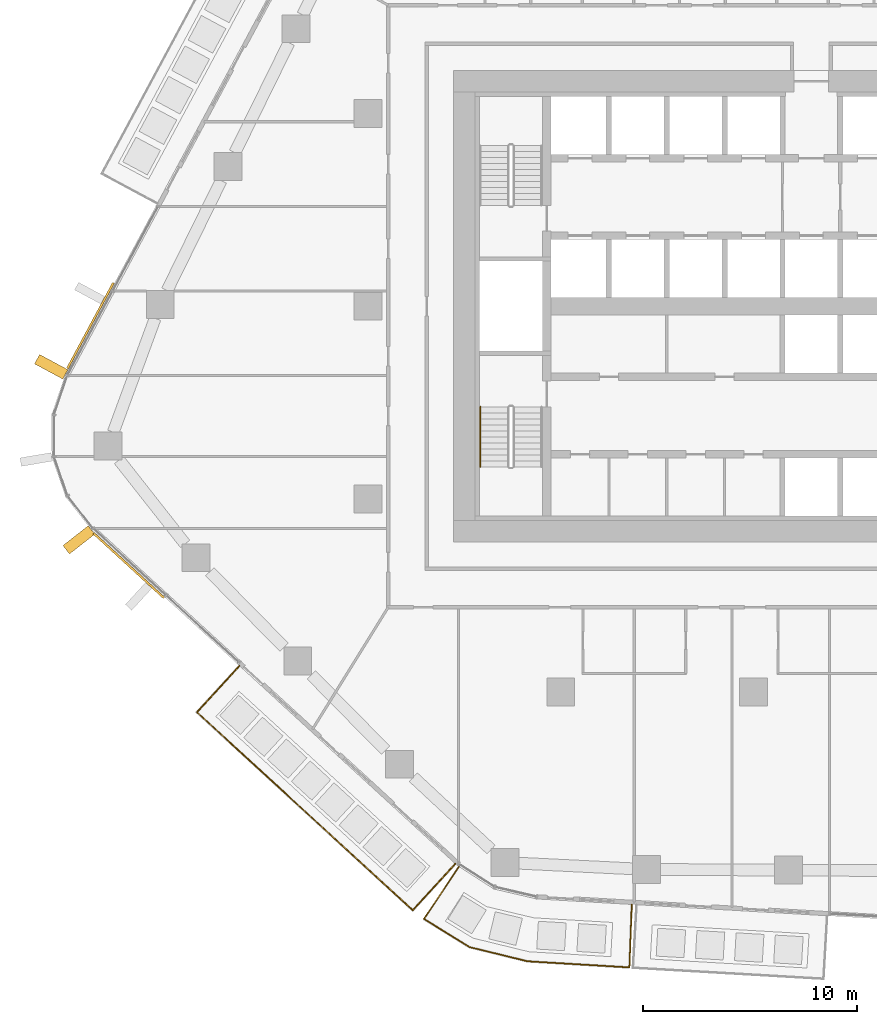
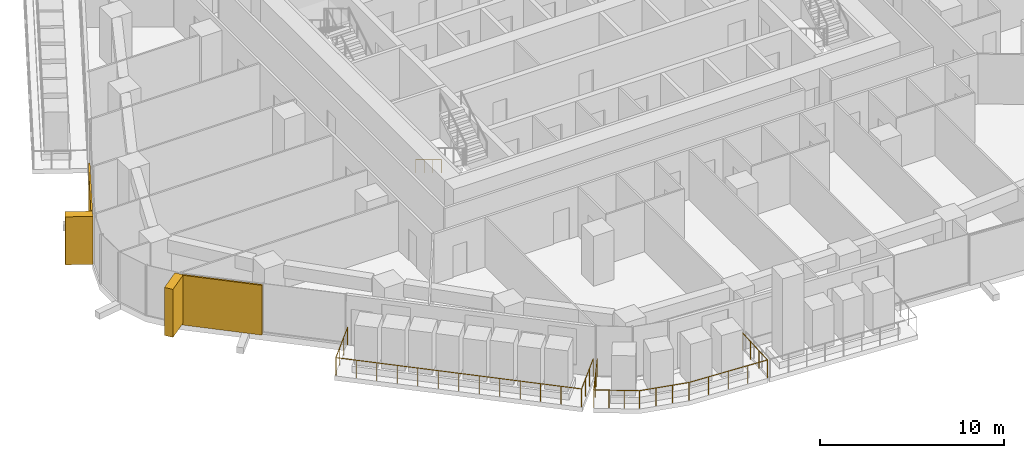
# One storey, part 19 of 24: 4 coverings, 3 railings, 3 elements without a shape of their own.
"""IFC4 building model written with IfcOpenShell, lengths in metres."""

from ifc_helpers import new_model, si_unit, direction, frame, origin, origin_2d, place, context, subcontext, project, spatial, rectangle, circle, extrude, material, layer, layer_set, material_profile, profile_set, type_object, element, aggregate, save


model = new_model("IFC4")

# Units and contexts
model_context = context("Model", 3, precision=1e-05, world=origin(), true_north=direction((0.0, 1.0)))
body_context = subcontext(model_context, "Body", "Model", "MODEL_VIEW")
ifc_project = project(units=[si_unit("LENGTHUNIT", "METRE"), si_unit("AREAUNIT", "SQUARE_METRE"), si_unit("VOLUMEUNIT", "CUBIC_METRE"), si_unit("PLANEANGLEUNIT", "RADIAN"), si_unit("MASSUNIT", "GRAM", prefix="KILO")], contexts=[model_context])

# Site, building, storey
site_placement = place(None, origin())
site = spatial("IfcSite", under=ifc_project, at=site_placement, CompositionType="ELEMENT")
building_placement = place(site_placement, origin())
building = spatial("IfcBuilding", under=site, at=building_placement, Name="Dongbaek Canopy Tower", CompositionType="ELEMENT")
storey_placement = place(building_placement, frame((0.0, 0.0, 124.800048828125)))
storey = spatial("IfcBuildingStorey", under=building, at=storey_placement, Name="L27", CompositionType="ELEMENT", Elevation=124.800048828125)

# Railings
ifc_material_1 = material(Name="Stainless steel", Category="steel")
railing_type_1 = type_object("IfcRailingType", Name="Balcony balustrade 1200", PredefinedType="BALUSTRADE", material=ifc_material_1)
railing_1_placement = place(storey_placement, frame((-23.9921875, -16.784423828125, 0.0)))
element("IfcRailing", 1, at=railing_1_placement, inside=storey, type_object=railing_type_1, Name="Balcony guard L27 3", PredefinedType="BALUSTRADE", context=body_context, shape_type="SweptSolid", body=[
    extrude(circle(Radius=0.02392578125, at=origin_2d()), frame((0.0, 0.0, 1.17578125), z_axis=(-0.675972780122, -0.736926591008, 0.0), x_axis=(0.736926591008, -0.675972780122, 0.0)), (0.0, 0.0, 1.0), 2.93994140625),
    extrude(circle(Radius=0.02392578125, at=origin_2d()), frame((-1.9873046875, -2.16650390625, 1.17578125), z_axis=(0.736921293012, -0.675978555803, 0.0), x_axis=(0.675978555803, 0.736921293012, 0.0)), (0.0, 0.0, 1.0), 13.668701171875),
    extrude(circle(Radius=0.02392578125, at=origin_2d()), frame((8.08544921875, -11.40625, 1.17578125), z_axis=(0.675931414187, 0.736964533282, 0.0), x_axis=(-0.736964533282, 0.675931414187, 0.0)), (0.0, 0.0, 1.0), 2.940185546875),
    extrude(circle(Radius=0.02099609375, at=origin_2d()), origin(), (0.0, 0.0, 1.0), 1.15185546875),
    extrude(circle(Radius=0.02099609375, at=origin_2d()), frame((-0.662353515625, -0.72216796875, 0.0)), (0.0, 0.0, 1.0), 1.15185546875),
    extrude(circle(Radius=0.02099609375, at=origin_2d()), frame((-1.324951171875, -1.4443359375, 0.0)), (0.0, 0.0, 1.0), 1.15185546875),
    extrude(circle(Radius=0.02099609375, at=origin_2d()), frame((-1.9873046875, -2.16650390625, 0.0)), (0.0, 0.0, 1.0), 1.15185546875),
    extrude(circle(Radius=0.02099609375, at=origin_2d()), frame((-1.14794921875, -2.9365234375, 0.0)), (0.0, 0.0, 1.0), 1.15185546875),
    extrude(circle(Radius=0.02099609375, at=origin_2d()), frame((-0.30859375, -3.70654296875, 0.0)), (0.0, 0.0, 1.0), 1.15185546875),
    extrude(circle(Radius=0.02099609375, at=origin_2d()), frame((0.53076171875, -4.4765625, 0.0)), (0.0, 0.0, 1.0), 1.15185546875),
    extrude(circle(Radius=0.02099609375, at=origin_2d()), frame((1.370361328125, -5.246337890625, 0.0)), (0.0, 0.0, 1.0), 1.15185546875),
    extrude(circle(Radius=0.02099609375, at=origin_2d()), frame((2.209716796875, -6.016357421875, 0.0)), (0.0, 0.0, 1.0), 1.15185546875),
    extrude(circle(Radius=0.02099609375, at=origin_2d()), frame((3.049072265625, -6.786376953125, 0.0)), (0.0, 0.0, 1.0), 1.15185546875),
    extrude(circle(Radius=0.02099609375, at=origin_2d()), frame((3.888427734375, -7.556396484375, 0.0)), (0.0, 0.0, 1.0), 1.15185546875),
    extrude(circle(Radius=0.02099609375, at=origin_2d()), frame((4.727783203125, -8.326416015625, 0.0)), (0.0, 0.0, 1.0), 1.15185546875),
    extrude(circle(Radius=0.02099609375, at=origin_2d()), frame((5.5673828125, -9.09619140625, 0.0)), (0.0, 0.0, 1.0), 1.15185546875),
    extrude(circle(Radius=0.02099609375, at=origin_2d()), frame((6.40673828125, -9.8662109375, 0.0)), (0.0, 0.0, 1.0), 1.15185546875),
    extrude(circle(Radius=0.02099609375, at=origin_2d()), frame((7.24609375, -10.63623046875, 0.0)), (0.0, 0.0, 1.0), 1.15185546875),
    extrude(circle(Radius=0.02099609375, at=origin_2d()), frame((8.08544921875, -11.40625, 0.0)), (0.0, 0.0, 1.0), 1.15185546875),
    extrude(circle(Radius=0.02099609375, at=origin_2d()), frame((8.747802734375, -10.68408203125, 0.0)), (0.0, 0.0, 1.0), 1.15185546875),
    extrude(circle(Radius=0.02099609375, at=origin_2d()), frame((9.410400390625, -9.961669921875, 0.0)), (0.0, 0.0, 1.0), 1.15185546875),
    extrude(circle(Radius=0.02099609375, at=origin_2d()), frame((10.07275390625, -9.239501953125, 0.0)), (0.0, 0.0, 1.0), 1.15185546875),
])
railing_2_placement = place(storey_placement, frame((-13.745849609375, -26.157958984375, 0.0)))
element("IfcRailing", 2, at=railing_2_placement, inside=storey, type_object=railing_type_1, Name="Balcony guard L27 7", PredefinedType="BALUSTRADE", context=body_context, shape_type="SweptSolid", body=[
    extrude(circle(Radius=0.02392578125, at=origin_2d()), frame((0.0, 0.0, 1.17578125), z_axis=(-0.557704769947, -0.830039390377, 0.0), x_axis=(0.830039390377, -0.557704769947, 0.0)), (0.0, 0.0, 1.0), 2.9404296875),
    extrude(circle(Radius=0.02392578125, at=origin_2d()), frame((-1.639892578125, -2.440673828125, 1.17578125), z_axis=(0.850419443082, -0.526105284926, 0.0), x_axis=(0.526105284926, 0.850419443082, 0.0)), (0.0, 0.0, 1.0), 2.49462890625),
    extrude(circle(Radius=0.02392578125, at=origin_2d()), frame((0.481689453125, -3.753173828125, 1.17578125), z_axis=(0.97124705118, -0.238073865796, 0.0), x_axis=(0.238073865796, 0.97124705118, 0.0)), (0.0, 0.0, 1.0), 2.79541015625),
    extrude(circle(Radius=0.02392578125, at=origin_2d()), frame((3.19677734375, -4.418701171875, 1.17578125), z_axis=(0.998198652811, -0.059995412536, 0.0), x_axis=(0.059995412536, 0.998198652811, 0.0)), (0.0, 0.0, 1.0), 4.76513671875),
    extrude(circle(Radius=0.02392578125, at=origin_2d()), frame((7.953369140625, -4.70458984375, 1.17578125), z_axis=(0.037361732555, 0.999301806733, 0.0), x_axis=(-0.999301806733, 0.037361732555, 0.0)), (0.0, 0.0, 1.0), 2.9404296875),
    extrude(circle(Radius=0.02099609375, at=origin_2d()), origin(), (0.0, 0.0, 1.0), 1.15185546875),
    extrude(circle(Radius=0.02099609375, at=origin_2d()), frame((-0.546630859375, -0.8134765625, 0.0)), (0.0, 0.0, 1.0), 1.15185546875),
    extrude(circle(Radius=0.02099609375, at=origin_2d()), frame((-1.09326171875, -1.627197265625, 0.0)), (0.0, 0.0, 1.0), 1.15185546875),
    extrude(circle(Radius=0.02099609375, at=origin_2d()), frame((-1.639892578125, -2.440673828125, 0.0)), (0.0, 0.0, 1.0), 1.15185546875),
    extrude(circle(Radius=0.02099609375, at=origin_2d()), frame((-0.9326171875, -2.878173828125, 0.0)), (0.0, 0.0, 1.0), 1.15185546875),
    extrude(circle(Radius=0.02099609375, at=origin_2d()), frame((-0.2255859375, -3.315673828125, 0.0)), (0.0, 0.0, 1.0), 1.15185546875),
    extrude(circle(Radius=0.02099609375, at=origin_2d()), frame((0.481689453125, -3.753173828125, 0.0)), (0.0, 0.0, 1.0), 1.15185546875),
    extrude(circle(Radius=0.02099609375, at=origin_2d()), frame((1.38671875, -3.97509765625, 0.0)), (0.0, 0.0, 1.0), 1.15185546875),
    extrude(circle(Radius=0.02099609375, at=origin_2d()), frame((2.291748046875, -4.19677734375, 0.0)), (0.0, 0.0, 1.0), 1.15185546875),
    extrude(circle(Radius=0.02099609375, at=origin_2d()), frame((3.19677734375, -4.418701171875, 0.0)), (0.0, 0.0, 1.0), 1.15185546875),
    extrude(circle(Radius=0.02099609375, at=origin_2d()), frame((4.385986328125, -4.490234375, 0.0)), (0.0, 0.0, 1.0), 1.15185546875),
    extrude(circle(Radius=0.02099609375, at=origin_2d()), frame((5.5751953125, -4.5615234375, 0.0)), (0.0, 0.0, 1.0), 1.15185546875),
    extrude(circle(Radius=0.02099609375, at=origin_2d()), frame((6.76416015625, -4.633056640625, 0.0)), (0.0, 0.0, 1.0), 1.15185546875),
    extrude(circle(Radius=0.02099609375, at=origin_2d()), frame((7.953369140625, -4.70458984375, 0.0)), (0.0, 0.0, 1.0), 1.15185546875),
    extrude(circle(Radius=0.02099609375, at=origin_2d()), frame((7.989990234375, -3.72509765625, 0.0)), (0.0, 0.0, 1.0), 1.15185546875),
    extrude(circle(Radius=0.02099609375, at=origin_2d()), frame((8.026611328125, -2.74560546875, 0.0)), (0.0, 0.0, 1.0), 1.15185546875),
    extrude(circle(Radius=0.02099609375, at=origin_2d()), frame((8.063232421875, -1.76611328125, 0.0)), (0.0, 0.0, 1.0), 1.15185546875),
])

# Curtain wall, covering
ifc_material_2 = material(Name="Aluminium 6063-T6 pale anodised", Category="aluminium")
ifc_layer_1 = layer(ifc_material_2, 0.199951171875)
ifc_layer_set_1 = layer_set([ifc_layer_1], Name="CW-1 unitised tower curtain wall")
curtain_wall_type = type_object("IfcCurtainWallType", Name="CW-1 unitised tower curtain wall", PredefinedType="NOTDEFINED", material=ifc_layer_set_1)
curtain_wall_1_placement = place(storey_placement, origin())
curtain_wall_1 = element("IfcCurtainWall", 3, at=curtain_wall_1_placement, inside=storey, type_object=curtain_wall_type, Name="CW-1 curtain wall F2.1", PredefinedType="NOTDEFINED")
ifc_material_3 = material(Name="Perforated aluminium 6063-T6 pale metal screen", Category="aluminium")
ifc_layer_2 = layer(ifc_material_3, 0.10009765625)
ifc_layer_set_2 = layer_set([ifc_layer_2], Name="Facet screen FS1 100 pale metal")
covering_type_1 = type_object("IfcCoveringType", Name="Facet screen FS1 100 pale metal", PredefinedType="CLADDING", material=ifc_layer_set_2)
covering_1_placement = place(storey_placement, frame((-30.949462890625, -0.90380859375, 0.0), z_axis=(0.0, 0.0, 1.0), x_axis=(-0.473408836533, -0.88084281997, 0.0)))
covering_1 = element("IfcCovering", 4, at=covering_1_placement, type_object=covering_type_1, Name="Facet screen L27 F2", PredefinedType="CLADDING", context=body_context, shape_type="SweptSolid", body=[
    extrude(rectangle(XDim=4.54296875, YDim=0.10009765625, at=origin_2d()), origin(), (0.0, 0.0, 1.0), 3.300048828125),
])

curtain_wall_2_placement = place(storey_placement, origin())
curtain_wall_2 = element("IfcCurtainWall", 5, at=curtain_wall_2_placement, inside=storey, type_object=curtain_wall_type, Name="CW-1 curtain wall F3.1", PredefinedType="NOTDEFINED")
covering_2_placement = place(storey_placement, frame((-29.163818359375, -12.1025390625, 0.0), z_axis=(0.0, 0.0, 1.0), x_axis=(0.736919958143, -0.675980011014, 0.0)))
covering_2 = element("IfcCovering", 6, at=covering_2_placement, type_object=covering_type_1, Name="Facet screen L27 F3", PredefinedType="CLADDING", context=body_context, shape_type="SweptSolid", body=[
    extrude(rectangle(XDim=4.468994140625, YDim=0.10009765625, at=origin_2d()), origin(), (0.0, 0.0, 1.0), 3.300048828125),
])
aggregate(curtain_wall_2, [covering_2])

# Covering
ifc_material_4 = material(Name="Aluminium 6063-T6 pale metal fin", Category="aluminium")
ifc_material_profile = material_profile(ifc_material_4, rectangle(XDim=1.5, YDim=0.5, at=origin_2d()), Name="Fin FN1 500 x 1500 pale metal")
ifc_profile_set = profile_set([ifc_material_profile], Name="Aluminium 6063-T6 pale metal fin")
covering_type_2 = type_object("IfcCoveringType", Name="Fin FN1 500 x 1500 pale metal", PredefinedType="CLADDING", material=ifc_profile_set)
covering_3_placement = place(storey_placement, frame((-32.7822265625, -2.82666015625, 0.119873046875), z_axis=(0.0, 0.0, 1.0), x_axis=(-0.880842802858, 0.473408868372, 0.0)))
covering_3 = element("IfcCovering", 7, at=covering_3_placement, type_object=covering_type_2, Name="Fin F2.1.3", PredefinedType="CLADDING", context=body_context, shape_type="SweptSolid", body=[
    extrude(rectangle(XDim=1.5, YDim=0.5, at=origin_2d()), origin(), (0.0, 0.0, 1.0), 3.18017578125),
])

aggregate(curtain_wall_1, [covering_3, covering_1])

# Curtain wall, covering
curtain_wall_3_placement = place(storey_placement, origin())
curtain_wall_3 = element("IfcCurtainWall", 8, at=curtain_wall_3_placement, inside=storey, type_object=curtain_wall_type, Name="CW-1 curtain wall K3.1", PredefinedType="NOTDEFINED")
covering_4_placement = place(storey_placement, frame((-31.492431640625, -10.90625, 0.119873046875), z_axis=(0.0, 0.0, 1.0), x_axis=(-0.787967884973, -0.615716340737, 0.0)))
covering_4 = element("IfcCovering", 9, at=covering_4_placement, type_object=covering_type_2, Name="Fin K3.1.5", PredefinedType="CLADDING", context=body_context, shape_type="SweptSolid", body=[
    extrude(rectangle(XDim=1.5, YDim=0.5, at=origin_2d()), origin(), (0.0, 0.0, 1.0), 3.18017578125),
])
aggregate(curtain_wall_3, [covering_4])

# Railing
ifc_material_5 = material(Name="Stainless steel tube", Category="steel")
railing_type_2 = type_object("IfcRailingType", Name="Stair handrail 900", PredefinedType="HANDRAIL", material=ifc_material_5)
railing_3_placement = place(storey_placement, frame((-12.75, -4.699951171875, 0.168212890625)))
element("IfcRailing", 10, at=railing_3_placement, inside=storey, type_object=railing_type_2, Name="L27 ST-D stair handrail 1", PredefinedType="HANDRAIL", context=body_context, shape_type="SweptSolid", body=[
    extrude(circle(Radius=0.02392578125, at=origin_2d()), frame((0.0, 0.0, 0.8759765625), z_axis=(0.0, -0.857275202839, 0.514858452973), x_axis=(1.0, 0.0, 0.0)), (0.0, 0.0, 1.0), 3.26611328125),
    extrude(circle(Radius=0.02099609375, at=origin_2d()), origin(), (0.0, 0.0, 1.0), 0.851806640625),
    extrude(circle(Radius=0.02099609375, at=origin_2d()), frame((0.0, -0.933349609375, 0.560546875)), (0.0, 0.0, 1.0), 0.851806640625),
    extrude(circle(Radius=0.02099609375, at=origin_2d()), frame((0.0, -1.86669921875, 1.12109375)), (0.0, 0.0, 1.0), 0.851806640625),
    extrude(circle(Radius=0.02099609375, at=origin_2d()), frame((0.0, -2.800048828125, 1.681640625)), (0.0, 0.0, 1.0), 0.851806640625),
])

save(model, "model.ifc")
